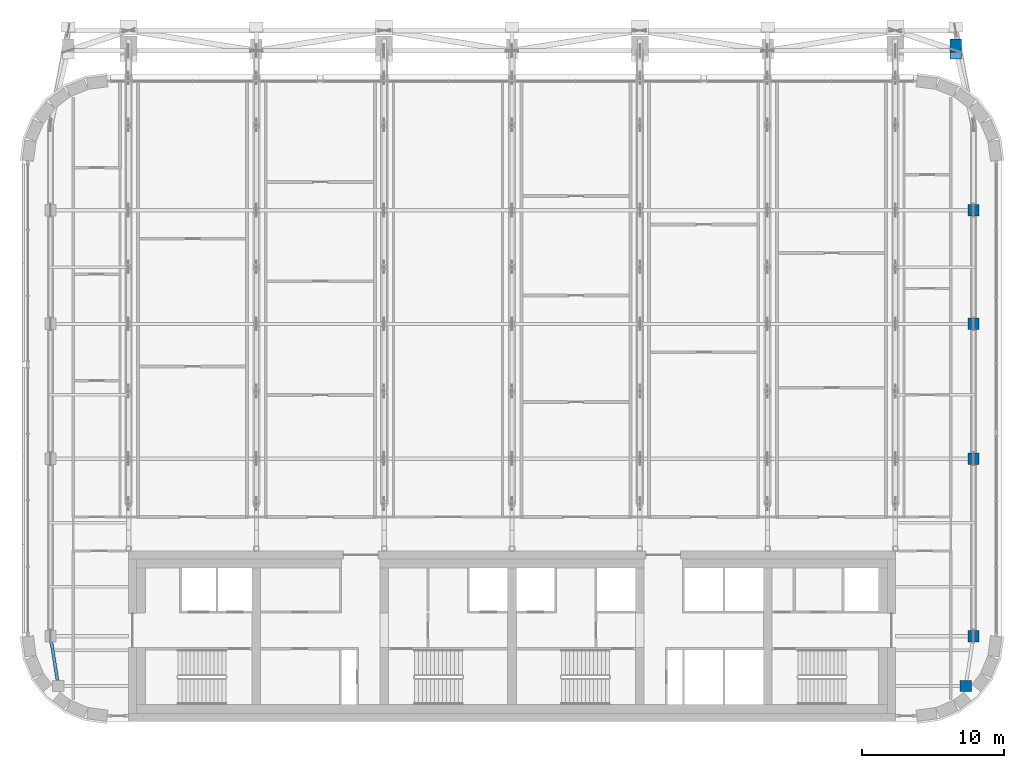
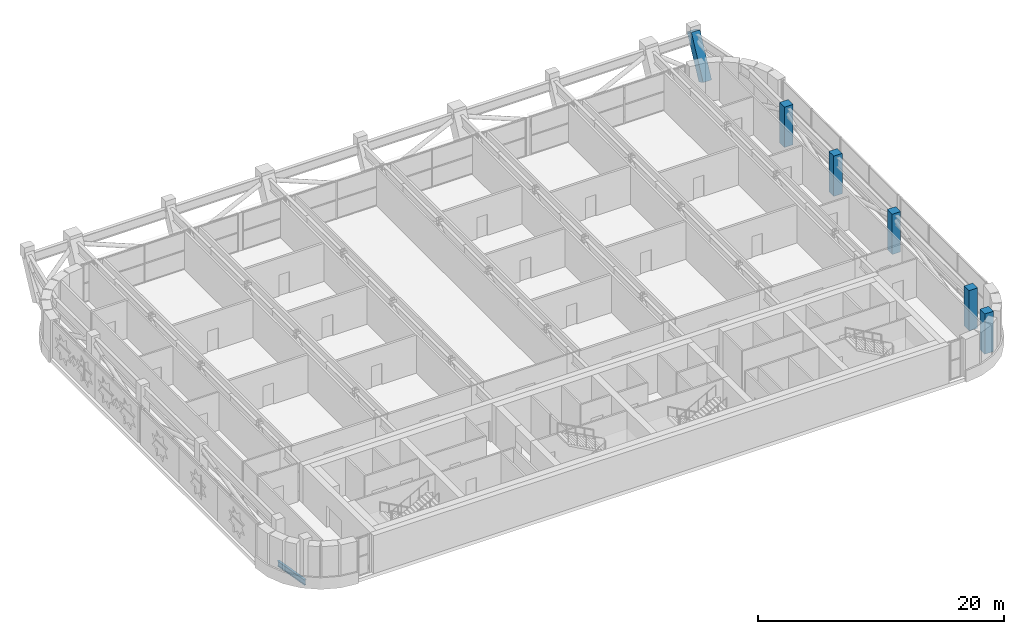
# One storey, part 4 of 28: 6 columns, 1 beam.
"""IFC4 building model written with IfcOpenShell, lengths in metres."""

from ifc_helpers import new_model, si_unit, direction, frame, origin, origin_2d, place, context, subcontext, project, spatial, rectangle, i_section, extrude, clip, halfspace, material, material_profile, profile_set, type_object, element, save


model = new_model("IFC4")

# Units and contexts
model_context = context("Model", 3, precision=1e-05, world=origin(), true_north=direction((0.0, 1.0)))
body_context = subcontext(model_context, "Body", "Model", "MODEL_VIEW")
ifc_project = project(units=[si_unit("LENGTHUNIT", "METRE"), si_unit("AREAUNIT", "SQUARE_METRE"), si_unit("VOLUMEUNIT", "CUBIC_METRE"), si_unit("PLANEANGLEUNIT", "RADIAN"), si_unit("MASSUNIT", "GRAM", prefix="KILO")], contexts=[model_context])

# Site, building, storey
site_placement = place(None, origin())
site = spatial("IfcSite", under=ifc_project, at=site_placement, CompositionType="ELEMENT")
building_placement = place(site_placement, origin())
building = spatial("IfcBuilding", under=site, at=building_placement, Name="Zellij Exchange Tower", CompositionType="ELEMENT")
storey_placement = place(building_placement, frame((0.0, 0.0, 268.5)))
storey = spatial("IfcBuildingStorey", under=building, at=storey_placement, Name="L63", CompositionType="ELEMENT", Elevation=268.5)

# Columns
ifc_material_1 = material(Name="Concrete C50/60", Category="concrete")
ifc_material_profile_1 = material_profile(ifc_material_1, rectangle(XDim=0.800048828125, YDim=0.800048828125, at=origin_2d()), Name="STR-COLUMN RC800x800 C50/60")
ifc_profile_set_1 = profile_set([ifc_material_profile_1], Name="Concrete C50/60")
column_type = type_object("IfcColumnType", Name="STR-COLUMN RC800x800 C50/60", PredefinedType="COLUMN", material=ifc_profile_set_1)
for number, where, z_axis, x_axis, name in (
    (1, (31.949951171875, -11.5, 0.0), (0.0, 0.0, 1.0), (1.0, 0.0, 0.0), "C15"),
    (2, (32.5, -8.0, 0.0), (0.0, 0.0, 1.0), (1.0, 0.0, 0.0), "C15"),
    (3, (32.5, 4.5, 0.0), (0.0, 0.0, 1.0), (1.0, 0.0, 0.0), "C15"),
    (4, (32.5, 14.0, 0.0), (0.0, 0.0, 1.0), (1.0, 0.0, 0.0), "C15"),
    (5, (32.5, 22.0, 0.0), (0.0, 0.0, 1.0), (1.0, 0.0, 0.0), "C15"),
):
    element("IfcColumn", number, at=place(storey_placement, frame(where, z_axis=z_axis, x_axis=x_axis)), inside=storey, type_object=column_type, Name=name, PredefinedType="COLUMN", context=body_context, shape_type="SweptSolid", body=[
        extrude(rectangle(XDim=0.800048828125, YDim=0.800048828125, at=origin_2d()), origin(), (0.0, 0.0, 1.0), 4.0),
    ])
column_placement = place(storey_placement, frame((31.25, 33.0, 0.0), z_axis=(0.0, 0.4472135955, 0.894427191), x_axis=(-1.0, 0.0, 0.0)))
element("IfcColumn", 6, at=column_placement, inside=storey, type_object=column_type, Name="C15", PredefinedType="COLUMN", context=body_context, shape_type="Clipping", body=[
    clip(extrude(rectangle(XDim=0.800048828125, YDim=0.800048828125, at=origin_2d()), origin(), (0.0, 0.0, 1.0), 4.47216796875), halfspace(frame((0.0, 0.0, 4.272216796875)), False)),
])

# Beam
ifc_material_2 = material(Name="Structural steel ASTM A992 Gr 50", Category="steel")
ifc_material_profile_2 = material_profile(ifc_material_2, i_section(OverallWidth=0.209228515625, OverallDepth=0.533447265625, WebThickness=0.01025390625, FlangeThickness=0.015625, at=origin_2d()), Name="W21x62")
ifc_profile_set_2 = profile_set([ifc_material_profile_2], Name="Structural steel ASTM A992 Gr 50")
beam_type = type_object("IfcBeamType", Name="STR-EDGE GIRDER W21x62", PredefinedType="BEAM", material=ifc_profile_set_2)
beam_placement = place(storey_placement, frame((-31.949951171875, -11.5, -0.61669921875), z_axis=(-0.155251283593, 0.987875011802, 0.0), x_axis=(-0.987875011802, -0.155251283593, 0.0)))
element("IfcBeam", 7, at=beam_placement, inside=storey, type_object=beam_type, Name="EB3", PredefinedType="BEAM", context=body_context, shape_type="SweptSolid", body=[
    extrude(i_section(OverallWidth=0.209228515625, OverallDepth=0.533447265625, WebThickness=0.01025390625, FlangeThickness=0.015625, at=origin_2d()), origin(), (0.0, 0.0, 1.0), 3.54296875),
])

save(model, "model.ifc")
